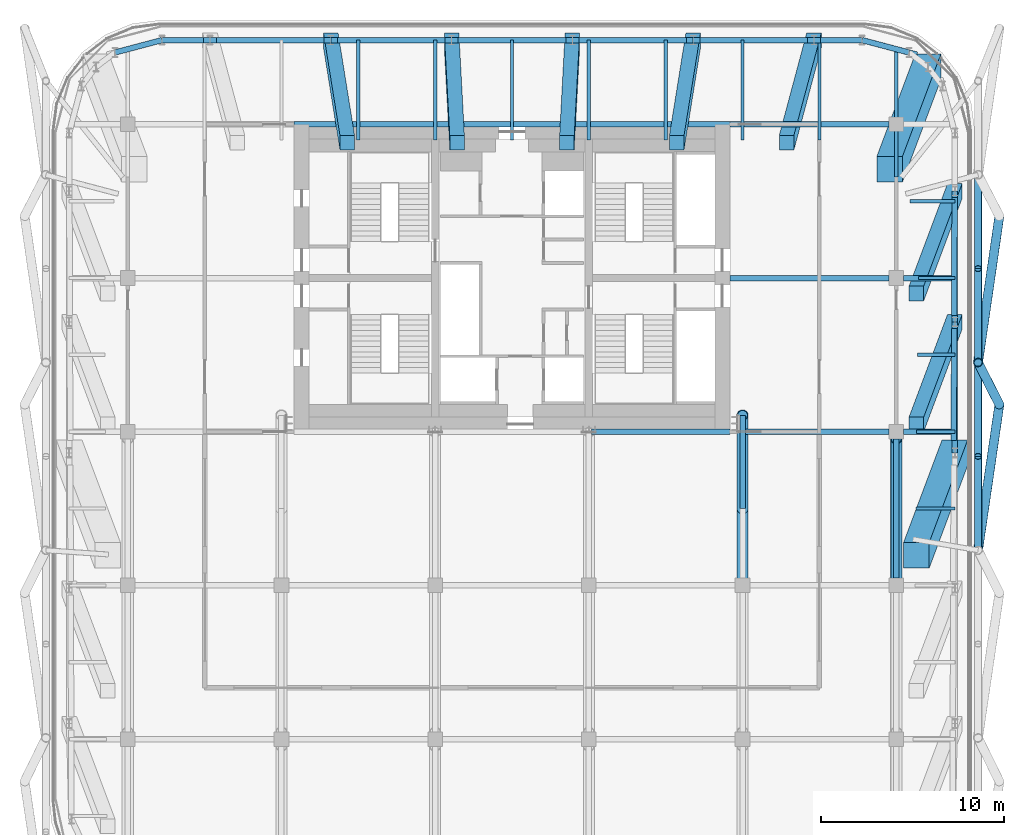
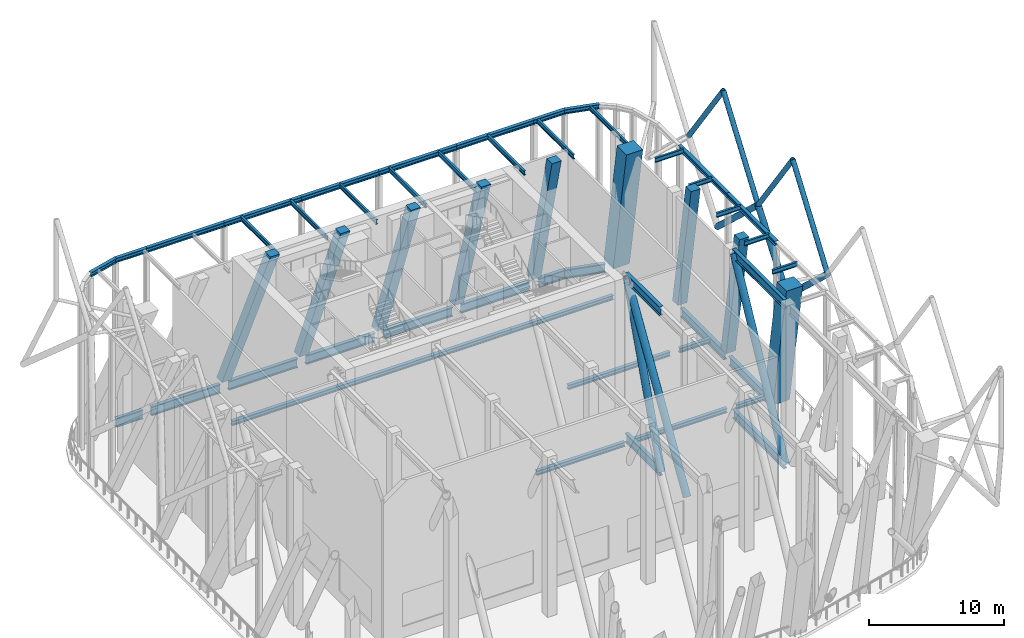
# One storey, part 7 of 20: 48 beams, 16 members.
"""IFC4 building model written with IfcOpenShell, lengths in metres."""

from ifc_helpers import new_model, si_unit, direction, frame, origin, origin_2d, place, context, subcontext, project, spatial, rectangle, hollow_circle, i_section, extrude, material, material_profile, profile_set, type_object, element, save


model = new_model("IFC4")

# Units and contexts
model_context = context("Model", 3, precision=1e-05, world=origin(), true_north=direction((0.0, 1.0)))
body_context = subcontext(model_context, "Body", "Model", "MODEL_VIEW")
ifc_project = project(units=[si_unit("LENGTHUNIT", "METRE"), si_unit("AREAUNIT", "SQUARE_METRE"), si_unit("VOLUMEUNIT", "CUBIC_METRE"), si_unit("PLANEANGLEUNIT", "RADIAN"), si_unit("MASSUNIT", "GRAM", prefix="KILO")], contexts=[model_context])

# Site, building, storey
site_placement = place(None, origin())
site = spatial("IfcSite", under=ifc_project, at=site_placement, CompositionType="ELEMENT")
building_placement = place(site_placement, origin())
building = spatial("IfcBuilding", under=site, at=building_placement, Name="Marenta Gate Hotel Tower", CompositionType="ELEMENT")
storey_placement = place(building_placement, frame((0.0, 0.0, 252.5)))
storey = spatial("IfcBuildingStorey", under=building, at=storey_placement, Name="L60", CompositionType="ELEMENT", Elevation=252.5)

# Members
ifc_material_1 = material(Name="Steel S355J2W", Category="steel")
ifc_material_profile_1 = material_profile(ifc_material_1, hollow_circle(Radius=0.25390625, WallThickness=0.0400390625, at=origin_2d()), Name="CHS 508x40")
ifc_profile_set_1 = profile_set([ifc_material_profile_1], Name="Steel S355J2W")
member_type_1 = type_object("IfcMemberType", Name="Diagrid diagonal T3 CHS 508x40", PredefinedType="BRACE", material=ifc_profile_set_1)
member_1_placement = place(storey_placement, frame((26.635009765625, 11.78564453125, 6.739990234375), z_axis=(-0.107590615991, -0.739133102272, 0.664910908676), x_axis=(0.989571111289, -0.144045186318, 0.0)))
element("IfcMember", 1, at=member_1_placement, inside=storey, type_object=member_type_1, Name="L60-DG-3", PredefinedType="BRACE", context=body_context, shape_type="SweptSolid", body=[
    extrude(hollow_circle(Radius=0.25390625, WallThickness=0.0400390625, at=origin_2d()), origin(), (0.0, 0.0, 1.0), 10.828369140625),
])
member_2_placement = place(storey_placement, frame((26.635009765625, 1.486328125, 6.739990234375), z_axis=(-0.152365420009, 0.300228844164, 0.94161957282), x_axis=(-0.891736841079, -0.452554313052, 0.0)))
element("IfcMember", 2, at=member_2_placement, inside=storey, type_object=member_type_1, Name="L60-DG-4", PredefinedType="BRACE", context=body_context, shape_type="SweptSolid", body=[
    extrude(hollow_circle(Radius=0.25390625, WallThickness=0.0400390625, at=origin_2d()), origin(), (0.0, 0.0, 1.0), 7.646240234375),
])
member_3_placement = place(storey_placement, frame((26.635009765625, 1.486328125, 6.739990234375), z_axis=(-0.10789052731, -0.737417736538, 0.666764363142), x_axis=(0.989465728106, -0.144767306062, 0.0)))
element("IfcMember", 3, at=member_3_placement, inside=storey, type_object=member_type_1, Name="L60-DG-5", PredefinedType="BRACE", context=body_context, shape_type="SweptSolid", body=[
    extrude(hollow_circle(Radius=0.25390625, WallThickness=0.0400390625, at=origin_2d()), origin(), (0.0, 0.0, 1.0), 10.79833984375),
])
ifc_material_2 = material(Name="Steel S355J2W", Category="steel")
ifc_material_profile_2 = material_profile(ifc_material_2, hollow_circle(Radius=0.203125, WallThickness=0.02490234375, at=origin_2d()), Name="CHS 406.4x25")
ifc_profile_set_2 = profile_set([ifc_material_profile_2], Name="Steel S355J2W")
member_type_2 = type_object("IfcMemberType", Name="Diagrid diagonal Z4 CHS 406.4x25", PredefinedType="BRACE", material=ifc_profile_set_2)
for number, where, z_axis, x_axis, name in (
    (4, (25.469970703125, 14.040771484375, 13.93994140625), (0.0, -0.580231970533, 0.81445126335), (1.0, 0.0, 0.0), "L60-DG-36"),
    (5, (25.469970703125, 3.781982421875, 13.93994140625), (0.0, 0.580231970533, 0.81445126335), (-1.0, 0.0, 0.0), "L60-DG-37"),
    (6, (25.469970703125, 3.781982421875, 13.93994140625), (0.0, -0.580231970533, 0.81445126335), (1.0, 0.0, 0.0), "L60-DG-38"),
):
    element("IfcMember", number, at=place(storey_placement, frame(where, z_axis=z_axis, x_axis=x_axis)), inside=storey, type_object=member_type_2, Name=name, PredefinedType="BRACE", context=body_context, shape_type="SweptSolid", body=[
        extrude(hollow_circle(Radius=0.203125, WallThickness=0.02490234375, at=origin_2d()), origin(), (0.0, 0.0, 1.0), 8.84033203125),
    ])
member_4_placement = place(storey_placement, frame((25.469970703125, -6.4765625, 13.93994140625), z_axis=(0.0, 0.580213650922, 0.81446431431), x_axis=(-1.0, 0.0, 0.0)))
element("IfcMember", 7, at=member_4_placement, inside=storey, type_object=member_type_2, Name="L60-DG-39", PredefinedType="BRACE", context=body_context, shape_type="SweptSolid", body=[
    extrude(hollow_circle(Radius=0.203125, WallThickness=0.02490234375, at=origin_2d()), origin(), (0.0, 0.0, 1.0), 8.840087890625),
])

# Beams
ifc_material_3 = material(Name="Steel S355", Category="steel")
ifc_material_profile_3 = material_profile(ifc_material_3, i_section(OverallWidth=0.302978515625, OverallDepth=0.81396484375, WebThickness=0.030029296875, FlangeThickness=0.052001953125, FilletRadius=0.030029296875, at=origin_2d()), Name="HEM 800")
ifc_profile_set_3 = profile_set([ifc_material_profile_3], Name="Steel S355")
beam_type_1 = type_object("IfcBeamType", Name="Edge beam HEM 800", PredefinedType="SPANDREL", material=ifc_profile_set_3)
beam_1_placement = place(storey_placement, frame((-19.134521484375, 21.39990234375, -0.70703125), z_axis=(1.0, 0.0, 0.0), x_axis=(0.0, 1.0, 0.0)))
element("IfcBeam", 8, at=beam_1_placement, inside=storey, type_object=beam_type_1, Name="L60-EB-13", PredefinedType="SPANDREL", context=body_context, shape_type="SweptSolid", body=[
    extrude(i_section(OverallWidth=0.302978515625, OverallDepth=0.81396484375, WebThickness=0.030029296875, FlangeThickness=0.052001953125, FilletRadius=0.030029296875, at=origin_2d()), origin(), (0.0, 0.0, 1.0), 2.267578125),
])
for number, where, z_axis, x_axis, name in (
    (9, (-16.14697265625, 21.39990234375, -0.70703125), (1.0, 0.0, 0.0), (0.0, 1.0, 0.0), "L60-EB-14"),
    (10, (-9.544189453125, 21.39990234375, -0.70703125), (1.0, 0.0, 0.0), (0.0, 1.0, 0.0), "L60-EB-15"),
    (11, (-2.94140625, 21.39990234375, -0.70703125), (1.0, 0.0, 0.0), (0.0, 1.0, 0.0), "L60-EB-16"),
    (12, (3.661376953125, 21.39990234375, -0.70703125), (1.0, 0.0, 0.0), (0.0, 1.0, 0.0), "L60-EB-17"),
    (13, (10.26416015625, 21.39990234375, -0.70703125), (1.0, 0.0, 0.0), (0.0, 1.0, 0.0), "L60-EB-18"),
):
    element("IfcBeam", number, at=place(storey_placement, frame(where, z_axis=z_axis, x_axis=x_axis)), inside=storey, type_object=beam_type_1, Name=name, PredefinedType="SPANDREL", context=body_context, shape_type="SweptSolid", body=[
        extrude(i_section(OverallWidth=0.302978515625, OverallDepth=0.81396484375, WebThickness=0.030029296875, FlangeThickness=0.052001953125, FilletRadius=0.030029296875, at=origin_2d()), origin(), (0.0, 0.0, 1.0), 5.8828125),
    ])
beam_2_placement = place(storey_placement, frame((16.866943359375, 21.39990234375, -0.70703125), z_axis=(1.0, 0.0, 0.0), x_axis=(0.0, 1.0, 0.0)))
element("IfcBeam", 14, at=beam_2_placement, inside=storey, type_object=beam_type_1, Name="L60-EB-19", PredefinedType="SPANDREL", context=body_context, shape_type="SweptSolid", body=[
    extrude(i_section(OverallWidth=0.302978515625, OverallDepth=0.81396484375, WebThickness=0.030029296875, FlangeThickness=0.052001953125, FilletRadius=0.030029296875, at=origin_2d()), origin(), (0.0, 0.0, 1.0), 2.267578125),
])
beam_3_placement = place(storey_placement, frame((19.134521484375, 21.39990234375, -0.70703125), z_axis=(0.9667647815, -0.25566747398, 0.0), x_axis=(0.25566747398, 0.9667647815, 0.0)))
element("IfcBeam", 15, at=beam_3_placement, inside=storey, type_object=beam_type_1, Name="L60-EB-20", PredefinedType="SPANDREL", context=body_context, shape_type="SweptSolid", body=[
    extrude(i_section(OverallWidth=0.302978515625, OverallDepth=0.81396484375, WebThickness=0.030029296875, FlangeThickness=0.052001953125, FilletRadius=0.030029296875, at=origin_2d()), origin(), (0.0, 0.0, 1.0), 3.1005859375),
])
beam_4_placement = place(storey_placement, frame((24.188232421875, 12.79638671875, -0.70703125), z_axis=(-0.00333963982, -0.999994423387, 0.0), x_axis=(0.999994423387, -0.00333963982, 0.0)))
element("IfcBeam", 16, at=beam_4_placement, inside=storey, type_object=beam_type_1, Name="L60-EB-23", PredefinedType="SPANDREL", context=body_context, shape_type="SweptSolid", body=[
    extrude(i_section(OverallWidth=0.302978515625, OverallDepth=0.81396484375, WebThickness=0.030029296875, FlangeThickness=0.052001953125, FilletRadius=0.030029296875, at=origin_2d()), origin(), (0.0, 0.0, 1.0), 6.43310546875),
])
beam_5_placement = place(storey_placement, frame((24.164306640625, 5.643310546875, -0.70703125), z_axis=(-0.003303859048, -0.999994542243, 0.0), x_axis=(0.999994542243, -0.003303859048, 0.0)))
element("IfcBeam", 17, at=beam_5_placement, inside=storey, type_object=beam_type_1, Name="L60-EB-24", PredefinedType="SPANDREL", context=body_context, shape_type="SweptSolid", body=[
    extrude(i_section(OverallWidth=0.302978515625, OverallDepth=0.81396484375, WebThickness=0.030029296875, FlangeThickness=0.052001953125, FilletRadius=0.030029296875, at=origin_2d()), origin(), (0.0, 0.0, 1.0), 6.13330078125),
])

# Members
ifc_material_4 = material(Name="Concrete C60", Category="concrete")
ifc_material_profile_4 = material_profile(ifc_material_4, rectangle(XDim=0.800048828125, YDim=0.800048828125, at=origin_2d()), Name="800 x 800")
ifc_profile_set_4 = profile_set([ifc_material_profile_4], Name="Concrete C60")
member_type_3 = type_object("IfcMemberType", Name="Edge column raked 800 x 800 C60", PredefinedType="STRUT", material=ifc_profile_set_4)
member_5_placement = place(storey_placement, frame((-9.904052734375, 21.39990234375, 0.0), z_axis=(0.0, 0.0, 1.0), x_axis=(1.0, 0.0, 0.0)))
element("IfcMember", 18, at=member_5_placement, inside=storey, type_object=member_type_3, Name="L60-EC-NW-NE-2", PredefinedType="STRUT", context=body_context, shape_type="SweptSolid", body=[
    extrude(rectangle(XDim=0.800048828125, YDim=0.800048828125, at=origin_2d()), origin(), (0.058145970288, -0.361826945334, 0.930430173505), 15.4765625),
])
member_6_placement = place(storey_placement, frame((-3.301513671875, 21.39990234375, 0.0), z_axis=(0.0, 0.0, 1.0), x_axis=(1.0, 0.0, 0.0)))
element("IfcMember", 19, at=member_6_placement, inside=storey, type_object=member_type_3, Name="L60-EC-NW-NE-3", PredefinedType="STRUT", context=body_context, shape_type="SweptSolid", body=[
    extrude(rectangle(XDim=0.800048828125, YDim=0.800048828125, at=origin_2d()), origin(), (0.019416444385, -0.362371834712, 0.93183134477), 15.453369140625),
])
member_7_placement = place(storey_placement, frame((3.301513671875, 21.39990234375, 0.0), z_axis=(0.0, 0.0, 1.0), x_axis=(1.0, 0.0, 0.0)))
element("IfcMember", 20, at=member_7_placement, inside=storey, type_object=member_type_3, Name="L60-EC-NW-NE-4", PredefinedType="STRUT", context=body_context, shape_type="SweptSolid", body=[
    extrude(rectangle(XDim=0.800048828125, YDim=0.800048828125, at=origin_2d()), origin(), (-0.019416444385, -0.362371834712, 0.93183134477), 15.453369140625),
])
member_8_placement = place(storey_placement, frame((9.904052734375, 21.39990234375, 0.0), z_axis=(0.0, 0.0, 1.0), x_axis=(1.0, 0.0, 0.0)))
element("IfcMember", 21, at=member_8_placement, inside=storey, type_object=member_type_3, Name="L60-EC-NW-NE-5", PredefinedType="STRUT", context=body_context, shape_type="SweptSolid", body=[
    extrude(rectangle(XDim=0.800048828125, YDim=0.800048828125, at=origin_2d()), origin(), (-0.058145970288, -0.361826945334, 0.930430173505), 15.4765625),
])
member_9_placement = place(storey_placement, frame((16.5068359375, 21.39990234375, 0.0), z_axis=(0.0, 0.0, 1.0), x_axis=(1.0, 0.0, 0.0)))
element("IfcMember", 22, at=member_9_placement, inside=storey, type_object=member_type_3, Name="L60-EC-NW-NE-6", PredefinedType="STRUT", context=body_context, shape_type="SweptSolid", body=[
    extrude(rectangle(XDim=0.800048828125, YDim=0.800048828125, at=origin_2d()), origin(), (-0.096630401295, -0.360744061604, 0.927645561388), 15.52294921875),
])
member_10_placement = place(storey_placement, frame((24.199951171875, 13.156494140625, 0.0), z_axis=(0.0, 0.0, 1.0), x_axis=(1.0, 0.0, 0.0)))
element("IfcMember", 23, at=member_10_placement, inside=storey, type_object=member_type_3, Name="L60-EC-NE-E-1", PredefinedType="STRUT", context=body_context, shape_type="SweptSolid", body=[
    extrude(rectangle(XDim=0.800048828125, YDim=0.800048828125, at=origin_2d()), origin(), (-0.134670294295, -0.359152099819, 0.923511603084), 15.592529296875),
])
member_11_placement = place(storey_placement, frame((24.199951171875, 6.003173828125, 0.0), z_axis=(0.0, 0.0, 1.0), x_axis=(1.0, 0.0, 0.0)))
element("IfcMember", 24, at=member_11_placement, inside=storey, type_object=member_type_3, Name="L60-EC-NE-E-2", PredefinedType="STRUT", context=body_context, shape_type="SweptSolid", body=[
    extrude(rectangle(XDim=0.800048828125, YDim=0.800048828125, at=origin_2d()), origin(), (-0.134671051594, -0.359138461855, 0.923516796317), 15.592529296875),
])

# Beams
ifc_material_5 = material(Name="Steel S355", Category="steel")
ifc_material_profile_5 = material_profile(ifc_material_5, i_section(OverallWidth=0.300048828125, OverallDepth=0.39990234375, WebThickness=0.013427734375, FlangeThickness=0.02392578125, FilletRadius=0.027099609375, at=origin_2d()), Name="HEB 400")
ifc_profile_set_5 = profile_set([ifc_material_profile_5], Name="Steel S355")
beam_type_2 = type_object("IfcBeamType", Name="Girder HEB 400", PredefinedType="BEAM", material=ifc_profile_set_5)
beam_6_placement = place(storey_placement, frame((4.3515625, 0.0, -0.5), z_axis=(1.0, 0.0, 0.0), x_axis=(0.0, 1.0, 0.0)))
element("IfcBeam", 25, at=beam_6_placement, inside=storey, type_object=beam_type_2, Name="L60-GD-24", PredefinedType="BEAM", context=body_context, shape_type="SweptSolid", body=[
    extrude(i_section(OverallWidth=0.300048828125, OverallDepth=0.39990234375, WebThickness=0.013427734375, FlangeThickness=0.02392578125, FilletRadius=0.027099609375, at=origin_2d()), origin(), (0.0, 0.0, 1.0), 7.54833984375),
])
beam_7_placement = place(storey_placement, frame((12.75146484375, 0.0, -0.5), z_axis=(1.0, 0.0, 0.0), x_axis=(0.0, 1.0, 0.0)))
element("IfcBeam", 26, at=beam_7_placement, inside=storey, type_object=beam_type_2, Name="L60-GD-25", PredefinedType="BEAM", context=body_context, shape_type="SweptSolid", body=[
    extrude(i_section(OverallWidth=0.300048828125, OverallDepth=0.39990234375, WebThickness=0.013427734375, FlangeThickness=0.02392578125, FilletRadius=0.027099609375, at=origin_2d()), origin(), (0.0, 0.0, 1.0), 7.8486328125),
])
beam_8_placement = place(storey_placement, frame((21.39990234375, 0.0, -0.5), z_axis=(1.0, 0.0, 0.0), x_axis=(0.0, 1.0, 0.0)))
element("IfcBeam", 27, at=beam_8_placement, inside=storey, type_object=beam_type_2, Name="L60-GD-26", PredefinedType="BEAM", context=body_context, shape_type="SweptSolid", body=[
    extrude(i_section(OverallWidth=0.300048828125, OverallDepth=0.39990234375, WebThickness=0.013427734375, FlangeThickness=0.02392578125, FilletRadius=0.027099609375, at=origin_2d()), origin(), (0.0, 0.0, 1.0), 2.59423828125),
])
beam_9_placement = place(storey_placement, frame((11.89990234375, 8.39990234375, -0.5), z_axis=(1.0, 0.0, 0.0), x_axis=(0.0, 1.0, 0.0)))
element("IfcBeam", 28, at=beam_9_placement, inside=storey, type_object=beam_type_2, Name="L60-GD-29", PredefinedType="BEAM", context=body_context, shape_type="SweptSolid", body=[
    extrude(i_section(OverallWidth=0.300048828125, OverallDepth=0.39990234375, WebThickness=0.013427734375, FlangeThickness=0.02392578125, FilletRadius=0.027099609375, at=origin_2d()), origin(), (0.0, 0.0, 1.0), 8.7001953125),
])
beam_10_placement = place(storey_placement, frame((21.39990234375, 8.39990234375, -0.5), z_axis=(1.0, 0.0, 0.0), x_axis=(0.0, 1.0, 0.0)))
element("IfcBeam", 29, at=beam_10_placement, inside=storey, type_object=beam_type_2, Name="L60-GD-30", PredefinedType="BEAM", context=body_context, shape_type="SweptSolid", body=[
    extrude(i_section(OverallWidth=0.300048828125, OverallDepth=0.39990234375, WebThickness=0.013427734375, FlangeThickness=0.02392578125, FilletRadius=0.027099609375, at=origin_2d()), origin(), (0.0, 0.0, 1.0), 2.6220703125),
])
beam_11_placement = place(storey_placement, frame((-11.89990234375, 16.800048828125, -0.5), z_axis=(1.0, 0.0, 0.0), x_axis=(0.0, 1.0, 0.0)))
element("IfcBeam", 30, at=beam_11_placement, inside=storey, type_object=beam_type_2, Name="L60-GD-33", PredefinedType="BEAM", context=body_context, shape_type="SweptSolid", body=[
    extrude(i_section(OverallWidth=0.300048828125, OverallDepth=0.39990234375, WebThickness=0.013427734375, FlangeThickness=0.02392578125, FilletRadius=0.027099609375, at=origin_2d()), origin(), (0.0, 0.0, 1.0), 23.7998046875),
])
beam_12_placement = place(storey_placement, frame((11.89990234375, 16.800048828125, -0.5), z_axis=(1.0, 0.0, 0.0), x_axis=(0.0, 1.0, 0.0)))
element("IfcBeam", 31, at=beam_12_placement, inside=storey, type_object=beam_type_2, Name="L60-GD-34", PredefinedType="BEAM", context=body_context, shape_type="SweptSolid", body=[
    extrude(i_section(OverallWidth=0.300048828125, OverallDepth=0.39990234375, WebThickness=0.013427734375, FlangeThickness=0.02392578125, FilletRadius=0.027099609375, at=origin_2d()), origin(), (0.0, 0.0, 1.0), 8.7001953125),
])

# Members
ifc_material_6 = material(Name="Concrete C60", Category="concrete")
ifc_material_profile_6 = material_profile(ifc_material_6, rectangle(XDim=1.39990234375, YDim=1.39990234375, at=origin_2d()), Name="1400 x 1400")
ifc_profile_set_6 = profile_set([ifc_material_profile_6], Name="Concrete C60")
member_type_4 = type_object("IfcMemberType", Name="Mega column raked 1400 x 1400 C60", PredefinedType="STRUT", material=ifc_profile_set_6)
member_12_placement = place(storey_placement, frame((24.199951171875, -1.14990234375, 0.0), z_axis=(0.0, 0.0, 1.0), x_axis=(1.0, 0.0, 0.0)))
element("IfcMember", 32, at=member_12_placement, inside=storey, type_object=member_type_4, Name="L60-MC-E", PredefinedType="STRUT", context=body_context, shape_type="SweptSolid", body=[
    extrude(rectangle(XDim=1.39990234375, YDim=1.39990234375, at=origin_2d()), origin(), (-0.134670294295, -0.359152099819, 0.923511603084), 15.592529296875),
])
member_13_placement = place(storey_placement, frame((22.735595703125, 19.935546875, 0.0), z_axis=(0.0, 0.0, 1.0), x_axis=(1.0, 0.0, 0.0)))
element("IfcMember", 33, at=member_13_placement, inside=storey, type_object=member_type_4, Name="L60-MC-NE", PredefinedType="STRUT", context=body_context, shape_type="SweptSolid", body=[
    extrude(rectangle(XDim=1.39990234375, YDim=1.39990234375, at=origin_2d()), origin(), (-0.134685667796, -0.359151342469, 0.923509655658), 15.592529296875),
])

# Beams
ifc_material_7 = material(Name="Steel S355", Category="steel")
ifc_material_profile_7 = material_profile(ifc_material_7, i_section(OverallWidth=0.302978515625, OverallDepth=0.81396484375, WebThickness=0.030029296875, FlangeThickness=0.052001953125, FilletRadius=0.030029296875, at=origin_2d()), Name="HEM 800")
ifc_profile_set_7 = profile_set([ifc_material_profile_7], Name="Steel S355")
beam_type_3 = type_object("IfcBeamType", Name="Outrigger truss chord HEM 800", PredefinedType="BEAM", material=ifc_profile_set_7)
for number, where, z_axis, x_axis, name in (
    (34, (12.60009765625, 0.89990234375, -0.70703125), (0.0, -1.0, 0.0), (1.0, 0.0, 0.0), "TC-HEM800 Outrigger truss T3-8 chord"),
    (35, (12.60009765625, 0.89990234375, 13.73291015625), (0.0, -1.0, 0.0), (1.0, 0.0, 0.0), "TC-HEM800 Outrigger truss T3-8 chord"),
):
    element("IfcBeam", number, at=place(storey_placement, frame(where, z_axis=z_axis, x_axis=x_axis)), inside=storey, type_object=beam_type_3, Name=name, PredefinedType="BEAM", context=body_context, shape_type="SweptSolid", body=[
        extrude(i_section(OverallWidth=0.302978515625, OverallDepth=0.81396484375, WebThickness=0.030029296875, FlangeThickness=0.052001953125, FilletRadius=0.030029296875, at=origin_2d()), origin(), (0.0, 0.0, 1.0), 5.099853515625),
    ])
for number, where, z_axis, x_axis, name in (
    (36, (21.0, -0.39990234375, -0.70703125), (0.0, -1.0, 0.0), (1.0, 0.0, 0.0), "TC-HEM800 Outrigger truss T3-9 chord"),
    (37, (21.0, -0.39990234375, 13.73291015625), (0.0, -1.0, 0.0), (1.0, 0.0, 0.0), "TC-HEM800 Outrigger truss T3-9 chord"),
):
    element("IfcBeam", number, at=place(storey_placement, frame(where, z_axis=z_axis, x_axis=x_axis)), inside=storey, type_object=beam_type_3, Name=name, PredefinedType="BEAM", context=body_context, shape_type="SweptSolid", body=[
        extrude(i_section(OverallWidth=0.302978515625, OverallDepth=0.81396484375, WebThickness=0.030029296875, FlangeThickness=0.052001953125, FilletRadius=0.030029296875, at=origin_2d()), origin(), (0.0, 0.0, 1.0), 7.60009765625),
    ])
ifc_material_8 = material(Name="Steel S355", Category="steel")
ifc_material_profile_8 = material_profile(ifc_material_8, hollow_circle(Radius=0.304931640625, WallThickness=0.0400390625, at=origin_2d()), Name="CHS 610x40")
ifc_profile_set_8 = profile_set([ifc_material_profile_8], Name="Steel S355")
beam_type_4 = type_object("IfcBeamType", Name="Outrigger truss diagonal CHS 610x40", PredefinedType="BEAM", material=ifc_profile_set_8)
beam_13_placement = place(storey_placement, frame((12.60009765625, 0.915771484375, 13.758544921875), z_axis=(0.0, -0.524689699532, -0.851293556422), x_axis=(1.0, 0.0, 0.0)))
element("IfcBeam", 38, at=beam_13_placement, inside=storey, type_object=beam_type_4, Name="Outrigger truss T3-8 diagonal", PredefinedType="BEAM", context=body_context, shape_type="SweptSolid", body=[
    extrude(hollow_circle(Radius=0.304931640625, WallThickness=0.0400390625, at=origin_2d()), origin(), (0.0, 0.0, 1.0), 16.992431640625),
])
beam_14_placement = place(storey_placement, frame((12.60009765625, -4.199951171875, -0.70703125), z_axis=(0.0, 0.333018190675, 0.942920402091), x_axis=(-1.0, 0.0, 0.0)))
element("IfcBeam", 39, at=beam_14_placement, inside=storey, type_object=beam_type_4, Name="Outrigger truss T3-8 diagonal", PredefinedType="BEAM", context=body_context, shape_type="SweptSolid", body=[
    extrude(hollow_circle(Radius=0.304931640625, WallThickness=0.0400390625, at=origin_2d()), origin(), (0.0, 0.0, 1.0), 15.343994140625),
])
beam_15_placement = place(storey_placement, frame((21.0, -0.39990234375, 13.73291015625), z_axis=(0.0, -0.465752599181, -0.884914976908), x_axis=(1.0, 0.0, 0.0)))
element("IfcBeam", 40, at=beam_15_placement, inside=storey, type_object=beam_type_4, Name="Outrigger truss T3-9 diagonal", PredefinedType="BEAM", context=body_context, shape_type="SweptSolid", body=[
    extrude(hollow_circle(Radius=0.304931640625, WallThickness=0.0400390625, at=origin_2d()), origin(), (0.0, 0.0, 1.0), 16.31787109375),
])
ifc_material_9 = material(Name="Steel S355", Category="steel")
ifc_material_profile_9 = material_profile(ifc_material_9, i_section(OverallWidth=0.179931640625, OverallDepth=0.39990234375, WebThickness=0.008544921875, FlangeThickness=0.013427734375, FilletRadius=0.02099609375, at=origin_2d()), Name="IPE 400")
ifc_profile_set_9 = profile_set([ifc_material_profile_9], Name="Steel S355")
beam_type_5 = type_object("IfcBeamType", Name="Terrace beam IPE 400", PredefinedType="JOIST", material=ifc_profile_set_9)
for number, where, z_axis, x_axis, name in (
    (41, (-8.39990234375, 15.950927734375, 13.93994140625), (0.0, 1.0, 0.0), (-1.0, 0.0, 0.0), "L60-TB-4"),
    (42, (-4.199951171875, 15.950927734375, 13.93994140625), (0.0, 1.0, 0.0), (-1.0, 0.0, 0.0), "L60-TB-5"),
    (43, (0.0, 15.950927734375, 13.93994140625), (0.0, 1.0, 0.0), (-1.0, 0.0, 0.0), "L60-TB-6"),
    (44, (4.199951171875, 15.950927734375, 13.93994140625), (0.0, 1.0, 0.0), (-1.0, 0.0, 0.0), "L60-TB-7"),
    (45, (8.39990234375, 15.950927734375, 13.93994140625), (0.0, 1.0, 0.0), (-1.0, 0.0, 0.0), "L60-TB-8"),
    (46, (12.60009765625, 15.950927734375, 13.93994140625), (0.0, 1.0, 0.0), (-1.0, 0.0, 0.0), "L60-TB-9"),
    (47, (16.800048828125, 15.950927734375, 13.93994140625), (0.0, 1.0, 0.0), (-1.0, 0.0, 0.0), "L60-TB-10"),
):
    element("IfcBeam", number, at=place(storey_placement, frame(where, z_axis=z_axis, x_axis=x_axis)), inside=storey, type_object=beam_type_5, Name=name, PredefinedType="JOIST", context=body_context, shape_type="SweptSolid", body=[
        extrude(i_section(OverallWidth=0.179931640625, OverallDepth=0.39990234375, WebThickness=0.008544921875, FlangeThickness=0.013427734375, FilletRadius=0.02099609375, at=origin_2d()), origin(), (0.0, 0.0, 1.0), 5.448974609375),
    ])
beam_16_placement = place(storey_placement, frame((21.0, 13.931884765625, 13.93994140625), z_axis=(0.0, 1.0, 0.0), x_axis=(-1.0, 0.0, 0.0)))
element("IfcBeam", 48, at=beam_16_placement, inside=storey, type_object=beam_type_5, Name="L60-TB-11", PredefinedType="JOIST", context=body_context, shape_type="SweptSolid", body=[
    extrude(i_section(OverallWidth=0.179931640625, OverallDepth=0.39990234375, WebThickness=0.008544921875, FlangeThickness=0.013427734375, FilletRadius=0.02099609375, at=origin_2d()), origin(), (0.0, 0.0, 1.0), 6.91552734375),
])
beam_17_placement = place(storey_placement, frame((22.066650390625, -4.199951171875, 13.93994140625), z_axis=(1.0, 0.0, 0.0), x_axis=(0.0, 1.0, 0.0)))
element("IfcBeam", 49, at=beam_17_placement, inside=storey, type_object=beam_type_5, Name="L60-TB-16", PredefinedType="JOIST", context=body_context, shape_type="SweptSolid", body=[
    extrude(i_section(OverallWidth=0.179931640625, OverallDepth=0.39990234375, WebThickness=0.008544921875, FlangeThickness=0.013427734375, FilletRadius=0.02099609375, at=origin_2d()), origin(), (0.0, 0.0, 1.0), 2.13330078125),
])
beam_18_placement = place(storey_placement, frame((22.118408203125, 0.0, 13.93994140625), z_axis=(1.0, 0.0, 0.0), x_axis=(0.0, 1.0, 0.0)))
element("IfcBeam", 50, at=beam_18_placement, inside=storey, type_object=beam_type_5, Name="L60-TB-17", PredefinedType="JOIST", context=body_context, shape_type="SweptSolid", body=[
    extrude(i_section(OverallWidth=0.179931640625, OverallDepth=0.39990234375, WebThickness=0.008544921875, FlangeThickness=0.013427734375, FilletRadius=0.02099609375, at=origin_2d()), origin(), (0.0, 0.0, 1.0), 2.08154296875),
])
beam_19_placement = place(storey_placement, frame((22.17041015625, 4.199951171875, 13.93994140625), z_axis=(1.0, 0.0, 0.0), x_axis=(0.0, 1.0, 0.0)))
element("IfcBeam", 51, at=beam_19_placement, inside=storey, type_object=beam_type_5, Name="L60-TB-18", PredefinedType="JOIST", context=body_context, shape_type="SweptSolid", body=[
    extrude(i_section(OverallWidth=0.179931640625, OverallDepth=0.39990234375, WebThickness=0.008544921875, FlangeThickness=0.013427734375, FilletRadius=0.02099609375, at=origin_2d()), origin(), (0.0, 0.0, 1.0), 2.029541015625),
])
beam_20_placement = place(storey_placement, frame((22.22216796875, 8.39990234375, 13.93994140625), z_axis=(1.0, 0.0, 0.0), x_axis=(0.0, 1.0, 0.0)))
element("IfcBeam", 52, at=beam_20_placement, inside=storey, type_object=beam_type_5, Name="L60-TB-19", PredefinedType="JOIST", context=body_context, shape_type="SweptSolid", body=[
    extrude(i_section(OverallWidth=0.179931640625, OverallDepth=0.39990234375, WebThickness=0.008544921875, FlangeThickness=0.013427734375, FilletRadius=0.02099609375, at=origin_2d()), origin(), (0.0, 0.0, 1.0), 1.977783203125),
])
beam_21_placement = place(storey_placement, frame((21.762939453125, 12.60009765625, 13.93994140625), z_axis=(1.0, 0.0, 0.0), x_axis=(0.0, 1.0, 0.0)))
element("IfcBeam", 53, at=beam_21_placement, inside=storey, type_object=beam_type_5, Name="L60-TB-20", PredefinedType="JOIST", context=body_context, shape_type="SweptSolid", body=[
    extrude(i_section(OverallWidth=0.179931640625, OverallDepth=0.39990234375, WebThickness=0.008544921875, FlangeThickness=0.013427734375, FilletRadius=0.02099609375, at=origin_2d()), origin(), (0.0, 0.0, 1.0), 2.43701171875),
])
ifc_material_10 = material(Name="Steel S355", Category="steel")
ifc_material_profile_10 = material_profile(ifc_material_10, i_section(OverallWidth=0.300048828125, OverallDepth=0.39990234375, WebThickness=0.013427734375, FlangeThickness=0.02392578125, FilletRadius=0.027099609375, at=origin_2d()), Name="HEB 400")
ifc_profile_set_10 = profile_set([ifc_material_profile_10], Name="Steel S355")
beam_type_6 = type_object("IfcBeamType", Name="Terrace edge beam HEB 400", PredefinedType="SPANDREL", material=ifc_profile_set_10)
beam_22_placement = place(storey_placement, frame((-21.695556640625, 20.72265625, 13.93994140625), z_axis=(0.966768228571, 0.25565443909, 0.0), x_axis=(-0.25565443909, 0.966768228571, 0.0)))
element("IfcBeam", 54, at=beam_22_placement, inside=storey, type_object=beam_type_6, Name="L60-TE-11", PredefinedType="SPANDREL", context=body_context, shape_type="SweptSolid", body=[
    extrude(i_section(OverallWidth=0.300048828125, OverallDepth=0.39990234375, WebThickness=0.013427734375, FlangeThickness=0.02392578125, FilletRadius=0.027099609375, at=origin_2d()), origin(), (0.0, 0.0, 1.0), 2.649169921875),
])
beam_23_placement = place(storey_placement, frame((-19.134521484375, 21.39990234375, 13.93994140625), z_axis=(1.0, 0.0, 0.0), x_axis=(0.0, 1.0, 0.0)))
element("IfcBeam", 55, at=beam_23_placement, inside=storey, type_object=beam_type_6, Name="L60-TE-12", PredefinedType="SPANDREL", context=body_context, shape_type="SweptSolid", body=[
    extrude(i_section(OverallWidth=0.300048828125, OverallDepth=0.39990234375, WebThickness=0.013427734375, FlangeThickness=0.02392578125, FilletRadius=0.027099609375, at=origin_2d()), origin(), (0.0, 0.0, 1.0), 2.627685546875),
])
beam_24_placement = place(storey_placement, frame((-16.5068359375, 21.39990234375, 13.93994140625), z_axis=(1.0, 0.0, 0.0), x_axis=(0.0, 1.0, 0.0)))
element("IfcBeam", 56, at=beam_24_placement, inside=storey, type_object=beam_type_6, Name="L60-TE-13", PredefinedType="SPANDREL", context=body_context, shape_type="SweptSolid", body=[
    extrude(i_section(OverallWidth=0.300048828125, OverallDepth=0.39990234375, WebThickness=0.013427734375, FlangeThickness=0.02392578125, FilletRadius=0.027099609375, at=origin_2d()), origin(), (0.0, 0.0, 1.0), 6.602783203125),
])
beam_25_placement = place(storey_placement, frame((-9.904052734375, 21.39990234375, 13.93994140625), z_axis=(1.0, 0.0, 0.0), x_axis=(0.0, 1.0, 0.0)))
element("IfcBeam", 57, at=beam_25_placement, inside=storey, type_object=beam_type_6, Name="L60-TE-14", PredefinedType="SPANDREL", context=body_context, shape_type="SweptSolid", body=[
    extrude(i_section(OverallWidth=0.300048828125, OverallDepth=0.39990234375, WebThickness=0.013427734375, FlangeThickness=0.02392578125, FilletRadius=0.027099609375, at=origin_2d()), origin(), (0.0, 0.0, 1.0), 6.6025390625),
])
beam_26_placement = place(storey_placement, frame((-3.301513671875, 21.39990234375, 13.93994140625), z_axis=(1.0, 0.0, 0.0), x_axis=(0.0, 1.0, 0.0)))
element("IfcBeam", 58, at=beam_26_placement, inside=storey, type_object=beam_type_6, Name="L60-TE-15", PredefinedType="SPANDREL", context=body_context, shape_type="SweptSolid", body=[
    extrude(i_section(OverallWidth=0.300048828125, OverallDepth=0.39990234375, WebThickness=0.013427734375, FlangeThickness=0.02392578125, FilletRadius=0.027099609375, at=origin_2d()), origin(), (0.0, 0.0, 1.0), 6.60302734375),
])
beam_27_placement = place(storey_placement, frame((3.301513671875, 21.39990234375, 13.93994140625), z_axis=(1.0, 0.0, 0.0), x_axis=(0.0, 1.0, 0.0)))
element("IfcBeam", 59, at=beam_27_placement, inside=storey, type_object=beam_type_6, Name="L60-TE-16", PredefinedType="SPANDREL", context=body_context, shape_type="SweptSolid", body=[
    extrude(i_section(OverallWidth=0.300048828125, OverallDepth=0.39990234375, WebThickness=0.013427734375, FlangeThickness=0.02392578125, FilletRadius=0.027099609375, at=origin_2d()), origin(), (0.0, 0.0, 1.0), 6.6025390625),
])
beam_28_placement = place(storey_placement, frame((9.904052734375, 21.39990234375, 13.93994140625), z_axis=(1.0, 0.0, 0.0), x_axis=(0.0, 1.0, 0.0)))
element("IfcBeam", 60, at=beam_28_placement, inside=storey, type_object=beam_type_6, Name="L60-TE-17", PredefinedType="SPANDREL", context=body_context, shape_type="SweptSolid", body=[
    extrude(i_section(OverallWidth=0.300048828125, OverallDepth=0.39990234375, WebThickness=0.013427734375, FlangeThickness=0.02392578125, FilletRadius=0.027099609375, at=origin_2d()), origin(), (0.0, 0.0, 1.0), 6.602783203125),
])
beam_29_placement = place(storey_placement, frame((16.5068359375, 21.39990234375, 13.93994140625), z_axis=(1.0, 0.0, 0.0), x_axis=(0.0, 1.0, 0.0)))
element("IfcBeam", 61, at=beam_29_placement, inside=storey, type_object=beam_type_6, Name="L60-TE-18", PredefinedType="SPANDREL", context=body_context, shape_type="SweptSolid", body=[
    extrude(i_section(OverallWidth=0.300048828125, OverallDepth=0.39990234375, WebThickness=0.013427734375, FlangeThickness=0.02392578125, FilletRadius=0.027099609375, at=origin_2d()), origin(), (0.0, 0.0, 1.0), 2.627685546875),
])
beam_30_placement = place(storey_placement, frame((19.134521484375, 21.39990234375, 13.93994140625), z_axis=(0.966768228571, -0.25565443909, 0.0), x_axis=(0.25565443909, 0.966768228571, 0.0)))
element("IfcBeam", 62, at=beam_30_placement, inside=storey, type_object=beam_type_6, Name="L60-TE-19", PredefinedType="SPANDREL", context=body_context, shape_type="SweptSolid", body=[
    extrude(i_section(OverallWidth=0.300048828125, OverallDepth=0.39990234375, WebThickness=0.013427734375, FlangeThickness=0.02392578125, FilletRadius=0.027099609375, at=origin_2d()), origin(), (0.0, 0.0, 1.0), 2.649169921875),
])
beam_31_placement = place(storey_placement, frame((24.199951171875, 13.156494140625, 13.93994140625), z_axis=(0.0, -1.0, 0.0), x_axis=(1.0, 0.0, 0.0)))
element("IfcBeam", 63, at=beam_31_placement, inside=storey, type_object=beam_type_6, Name="L60-TE-24", PredefinedType="SPANDREL", context=body_context, shape_type="SweptSolid", body=[
    extrude(i_section(OverallWidth=0.300048828125, OverallDepth=0.39990234375, WebThickness=0.013427734375, FlangeThickness=0.02392578125, FilletRadius=0.027099609375, at=origin_2d()), origin(), (0.0, 0.0, 1.0), 7.1533203125),
])
beam_32_placement = place(storey_placement, frame((24.199951171875, 6.003173828125, 13.93994140625), z_axis=(0.0, -1.0, 0.0), x_axis=(1.0, 0.0, 0.0)))
element("IfcBeam", 64, at=beam_32_placement, inside=storey, type_object=beam_type_6, Name="L60-TE-25", PredefinedType="SPANDREL", context=body_context, shape_type="SweptSolid", body=[
    extrude(i_section(OverallWidth=0.300048828125, OverallDepth=0.39990234375, WebThickness=0.013427734375, FlangeThickness=0.02392578125, FilletRadius=0.027099609375, at=origin_2d()), origin(), (0.0, 0.0, 1.0), 7.153076171875),
])

save(model, "model.ifc")
